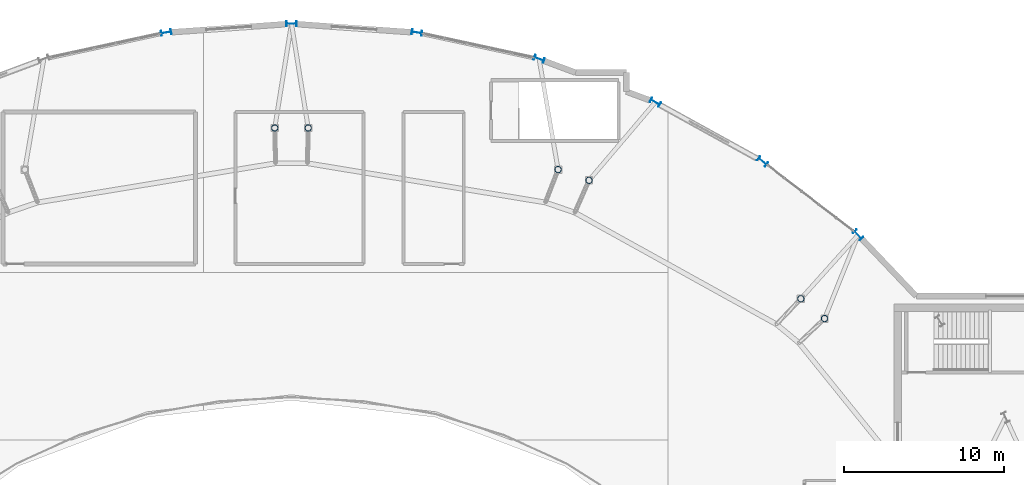
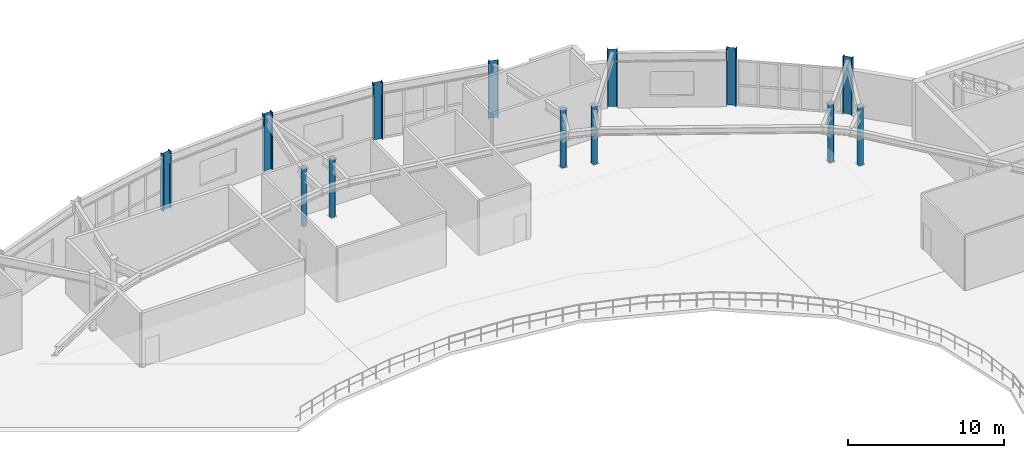
# One storey, part 10 of 48: 13 columns.
"""IFC4 building model written with IfcOpenShell, lengths in metres."""

from ifc_helpers import new_model, si_unit, direction, frame, origin, origin_2d, place, context, subcontext, project, spatial, hollow_circle, i_section, extrude, material, material_profile, profile_set, type_object, element, save


model = new_model("IFC4")

# Units and contexts
model_context = context("Model", 3, precision=1e-05, world=origin(), true_north=direction((0.0, 1.0)))
body_context = subcontext(model_context, "Body", "Model", "MODEL_VIEW")
ifc_project = project(units=[si_unit("LENGTHUNIT", "METRE"), si_unit("AREAUNIT", "SQUARE_METRE"), si_unit("VOLUMEUNIT", "CUBIC_METRE"), si_unit("PLANEANGLEUNIT", "RADIAN"), si_unit("MASSUNIT", "GRAM", prefix="KILO")], contexts=[model_context])

# Site, building, storey
site_placement = place(None, origin())
site = spatial("IfcSite", under=ifc_project, at=site_placement, CompositionType="ELEMENT")
building_placement = place(site_placement, origin())
building = spatial("IfcBuilding", under=site, at=building_placement, Name="Glasvene Arena", CompositionType="ELEMENT")
storey_placement = place(building_placement, frame((0.0, 0.0, 19.5)))
storey = spatial("IfcBuildingStorey", under=building, at=storey_placement, Name="L04", CompositionType="ELEMENT", Elevation=19.5)

# Columns
ifc_material = material(Name="Steel S355J2", Category="steel")
ifc_material_profile_1 = material_profile(ifc_material, i_section(OverallWidth=0.300048828125, OverallDepth=0.64990234375, WebThickness=0.01611328125, FlangeThickness=0.031005859375, FilletRadius=0.027099609375, at=origin_2d()), Name="HEB 650")
ifc_profile_set_1 = profile_set([ifc_material_profile_1], Name="Steel S355J2")
column_type_1 = type_object("IfcColumnType", Name="COL-RING-HEB650", PredefinedType="COLUMN", material=ifc_profile_set_1)
for number, where, z_axis, x_axis, name in (
    (1, (127.355224609375, 104.81982421875, 0.0), (0.0, 0.0, 1.0), (0.74326159948, 0.669000892928, 0.0), "Bowl ring column R06 L04"),
    (2, (121.389404296875, 109.40576171875, 0.0), (0.0, 0.0, 1.0), (0.628098877137, 0.778133536444, 0.0), "Bowl ring column R07 L04"),
    (3, (114.699462890625, 113.09521484375, 0.0), (0.0, 0.0, 1.0), (0.492727341548, 0.87018375467, 0.0), "Bowl ring column R08 L04"),
    (4, (107.45068359375, 115.797607421875, 0.0), (0.0, 0.0, 1.0), (0.339558864524, 0.94058480613, 0.0), "Bowl ring column R09 L04"),
    (5, (99.82177734375, 117.446044921875, 0.0), (0.0, 0.0, 1.0), (0.173304404339, 0.984868307662, 0.0), "Bowl ring column R10 L04"),
    (6, (92.0, 118.0, 0.0), (0.0, 0.0, 1.0), (0.0, 1.0, 0.0), "Bowl ring column R11 L04"),
    (7, (84.17822265625, 117.446044921875, 0.0), (0.0, 0.0, 1.0), (-0.173304404339, 0.984868307662, 0.0), "Bowl ring column R12 L04"),
):
    element("IfcColumn", number, at=place(storey_placement, frame(where, z_axis=z_axis, x_axis=x_axis)), inside=storey, type_object=column_type_1, Name=name, PredefinedType="COLUMN", context=body_context, shape_type="SweptSolid", body=[
        extrude(i_section(OverallWidth=0.300048828125, OverallDepth=0.64990234375, WebThickness=0.01611328125, FlangeThickness=0.031005859375, FilletRadius=0.027099609375, at=origin_2d()), origin(), (0.0, 0.0, 1.0), 4.5),
    ])
ifc_material_profile_2 = material_profile(ifc_material, hollow_circle(Radius=0.203125, WallThickness=0.01611328125, at=origin_2d()), Name="CHS 406.4x16.0")
ifc_profile_set_2 = profile_set([ifc_material_profile_2], Name="Steel S355J2")
column_type_2 = type_object("IfcColumnType", Name="COL-W-CHS406", PredefinedType="COLUMN", material=ifc_profile_set_2)
for number, where, z_axis, x_axis, name in (
    (8, (125.256591796875, 99.59912109375, 0.0), (0.0, 0.0, 1.0), (1.0, 0.0, 0.0), "Gondola support column L04 02-2"),
    (9, (123.780517578125, 100.834228515625, 0.0), (0.0, 0.0, 1.0), (1.0, 0.0, 0.0), "Gondola support column L04 03-1"),
    (10, (110.56298828125, 108.225830078125, 0.0), (0.0, 0.0, 1.0), (1.0, 0.0, 0.0), "Gondola support column L04 03-2"),
    (11, (108.634765625, 108.89453125, 0.0), (0.0, 0.0, 1.0), (1.0, 0.0, 0.0), "Gondola support column L04 04-1"),
    (12, (93.043701171875, 111.489990234375, 0.0), (0.0, 0.0, 1.0), (1.0, 0.0, 0.0), "Gondola support column L04 04-2"),
    (13, (90.956298828125, 111.489990234375, 0.0), (0.0, 0.0, 1.0), (1.0, 0.0, 0.0), "Gondola support column L04 05-1"),
):
    element("IfcColumn", number, at=place(storey_placement, frame(where, z_axis=z_axis, x_axis=x_axis)), inside=storey, type_object=column_type_2, Name=name, PredefinedType="COLUMN", context=body_context, shape_type="SweptSolid", body=[
        extrude(hollow_circle(Radius=0.203125, WallThickness=0.01611328125, at=origin_2d()), origin(), (0.0, 0.0, 1.0), 4.5),
    ])

save(model, "model.ifc")
